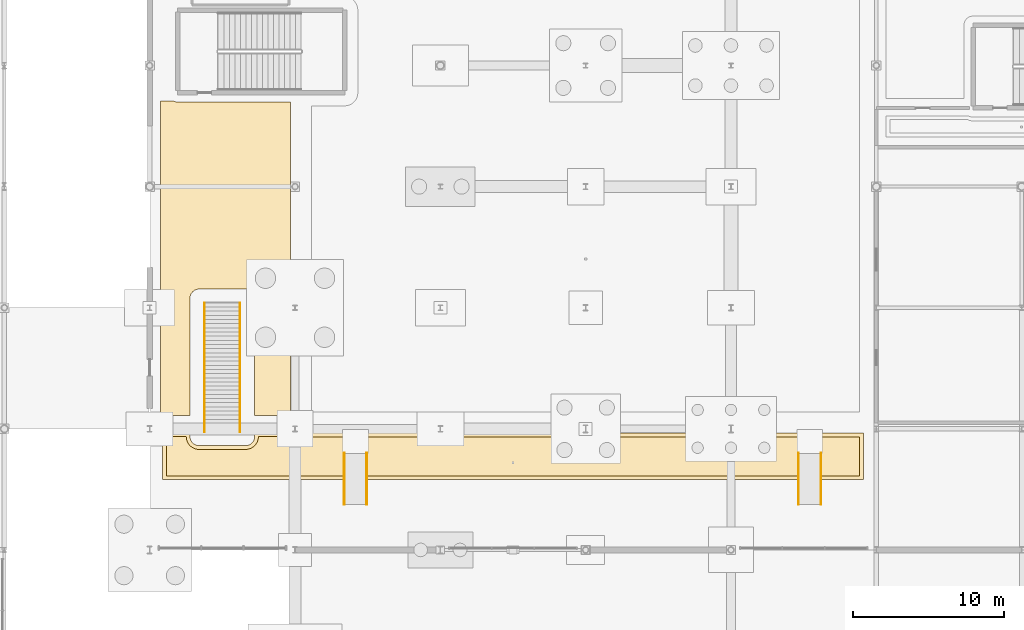
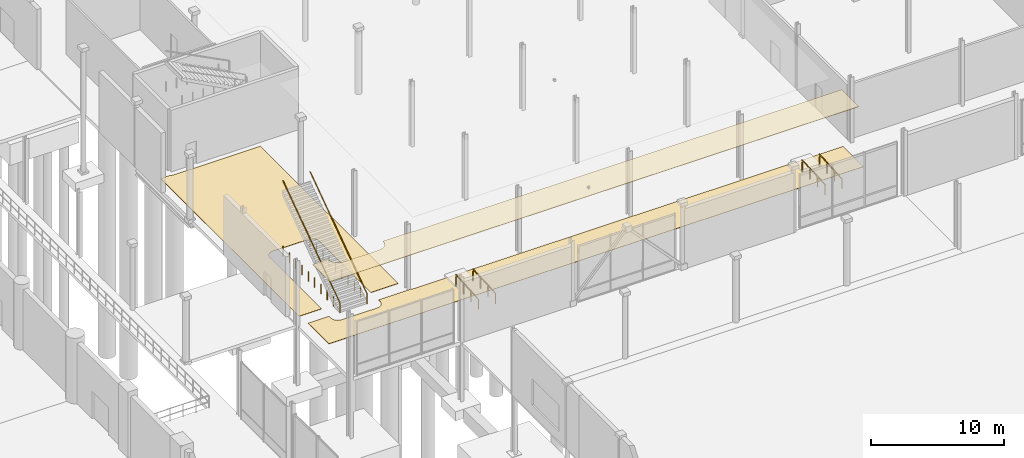
# One storey, part 119 of 124: 6 railings, 3 coverings.
"""IFC4 building model written with IfcOpenShell, lengths in metres."""

from ifc_helpers import new_model, si_unit, direction, frame, origin, origin_2d, place, context, subcontext, project, spatial, polyline, circle, outline, extrude, material, layer, layer_set, type_object, element, save


model = new_model("IFC4")

# Units and contexts
model_context = context("Model", 3, precision=1e-05, world=origin(), true_north=direction((0.0, 1.0)))
body_context = subcontext(model_context, "Body", "Model", "MODEL_VIEW")
ifc_project = project(units=[si_unit("LENGTHUNIT", "METRE"), si_unit("AREAUNIT", "SQUARE_METRE"), si_unit("VOLUMEUNIT", "CUBIC_METRE"), si_unit("PLANEANGLEUNIT", "RADIAN"), si_unit("MASSUNIT", "GRAM", prefix="KILO")], contexts=[model_context])

# Site, building, storey
site_placement = place(None, origin())
site = spatial("IfcSite", under=ifc_project, at=site_placement, CompositionType="ELEMENT")
building_placement = place(site_placement, origin())
building = spatial("IfcBuilding", under=site, at=building_placement, Name="Danafjord Basin Convention Centre", CompositionType="ELEMENT")
storey_placement = place(building_placement, origin())
storey = spatial("IfcBuildingStorey", under=building, at=storey_placement, Name="L00", CompositionType="ELEMENT", Elevation=0.0)

# Coverings
ifc_material_1 = material(Name="Perforated Nordic birch acoustic slats")
ifc_layer_1 = layer(ifc_material_1, 0.0400390625)
ifc_layer_set_1 = layer_set([ifc_layer_1], Name="Perforated Nordic birch acoustic slats")
covering_type_1 = type_object("IfcCoveringType", Name="COV-CLG-AC01", PredefinedType="CEILING", material=ifc_layer_set_1)
covering_1_placement = place(storey_placement, frame((0.0, 0.0, 5.43994140625)))
element("IfcCovering", 1, at=covering_1_placement, inside=storey, type_object=covering_type_1, Name="Auditorium Lower Pre-Function Foyer acoustic ceiling", PredefinedType="CEILING", context=body_context, shape_type="SweptSolid", body=[
    extrude(outline(polyline([(136.81494140625, 95.5), (136.81591796875, 95.4560546875), (136.81689453125, 95.43994140625), (136.822021484375, 95.39111328125), (136.823974609375, 95.3759765625), (136.842041015625, 95.2890625), (136.845947265625, 95.27392578125), (136.85791015625, 95.23291015625), (136.863037109375, 95.218017578125), (136.90087890625, 95.1259765625), (136.907958984375, 95.112060546875), (136.926025390625, 95.077880859375), (136.93408203125, 95.06396484375), (136.966064453125, 95.012939453125), (136.97509765625, 95.0), (137.013916015625, 94.948974609375), (137.055908203125, 94.903076171875), (137.06689453125, 94.89208984375), (137.077880859375, 94.881103515625), (137.1240234375, 94.839111328125), (137.175048828125, 94.800048828125), (137.18798828125, 94.791015625), (137.239013671875, 94.759033203125), (137.2529296875, 94.7509765625), (137.287109375, 94.73291015625), (137.301025390625, 94.72607421875), (137.39306640625, 94.68798828125), (137.407958984375, 94.68310546875), (137.448974609375, 94.6708984375), (137.464111328125, 94.6669921875), (137.551025390625, 94.64892578125), (137.56591796875, 94.64697265625), (137.614990234375, 94.64208984375), (137.631103515625, 94.64111328125), (137.675048828125, 94.639892578125), (140.72509765625, 94.639892578125), (140.76904296875, 94.64111328125), (140.784912109375, 94.64208984375), (140.833984375, 94.64697265625), (140.84912109375, 94.64892578125), (140.93603515625, 94.6669921875), (140.950927734375, 94.6708984375), (140.991943359375, 94.68310546875), (141.007080078125, 94.68798828125), (141.09912109375, 94.72607421875), (141.113037109375, 94.73291015625), (141.14697265625, 94.7509765625), (141.160888671875, 94.759033203125), (141.2119140625, 94.791015625), (141.22509765625, 94.800048828125), (141.27587890625, 94.839111328125), (141.322021484375, 94.881103515625), (141.343994140625, 94.903076171875), (141.385986328125, 94.948974609375), (141.425048828125, 95.0), (141.43408203125, 95.012939453125), (141.466064453125, 95.06396484375), (141.47412109375, 95.077880859375), (141.491943359375, 95.112060546875), (141.4990234375, 95.1259765625), (141.537109375, 95.218017578125), (141.5419921875, 95.23291015625), (141.553955078125, 95.27392578125), (141.55810546875, 95.2890625), (141.575927734375, 95.3759765625), (141.577880859375, 95.39111328125), (141.5830078125, 95.43994140625), (141.583984375, 95.4560546875), (141.5849609375, 95.5), (144.12890625, 95.5), (144.134033203125, 95.498046875), (144.18896484375, 95.48388671875), (144.2119140625, 95.47900390625), (144.300048828125, 95.466064453125), (144.322998046875, 95.464111328125), (144.340087890625, 95.4619140625), (144.35595703125, 95.4609375), (144.39990234375, 95.4599609375), (181.300048828125, 95.4599609375), (181.300048828125, 92.89990234375), (135.5, 92.89990234375), (135.5, 95.5), (136.81494140625, 95.5)])), origin(), (0.0, 0.0, 1.0), 0.0400390625),
])
ifc_material_2 = material(Name="Polished Bohus granite terrazzo", Category="masonry")
ifc_layer_2 = layer(ifc_material_2, 0.030029296875)
ifc_layer_set_2 = layer_set([ifc_layer_2], Name="Polished Bohus granite terrazzo")
covering_type_2 = type_object("IfcCoveringType", Name="COV-FLR-TER01", PredefinedType="FLOORING", material=ifc_layer_set_2)
covering_2_placement = place(storey_placement, origin())
element("IfcCovering", 2, at=covering_2_placement, inside=storey, type_object=covering_type_2, Name="Auditorium Lower Pre-Function Foyer finish flooring", PredefinedType="FLOORING", context=body_context, shape_type="SweptSolid", body=[
    extrude(outline(polyline([(137.06494140625, 95.75), (137.06494140625, 95.5), (137.06591796875, 95.471923828125), (137.06689453125, 95.4560546875), (137.070068359375, 95.425048828125), (137.072021484375, 95.409912109375), (137.0830078125, 95.35302734375), (137.0869140625, 95.337890625), (137.094970703125, 95.31201171875), (137.10009765625, 95.297119140625), (137.125, 95.238037109375), (137.132080078125, 95.22412109375), (137.14306640625, 95.201904296875), (137.15087890625, 95.18798828125), (137.172119140625, 95.155029296875), (137.180908203125, 95.14208984375), (137.2060546875, 95.110107421875), (137.23291015625, 95.080078125), (137.243896484375, 95.069091796875), (137.2548828125, 95.05810546875), (137.284912109375, 95.031005859375), (137.31689453125, 95.006103515625), (137.330078125, 94.9970703125), (137.363037109375, 94.97607421875), (137.376953125, 94.968017578125), (137.39892578125, 94.95703125), (137.4130859375, 94.949951171875), (137.471923828125, 94.925048828125), (137.487060546875, 94.919921875), (137.512939453125, 94.912109375), (137.528076171875, 94.907958984375), (137.5849609375, 94.89697265625), (137.60009765625, 94.89501953125), (137.631103515625, 94.89208984375), (137.64697265625, 94.89111328125), (137.675048828125, 94.889892578125), (140.72509765625, 94.889892578125), (140.7529296875, 94.89111328125), (140.76904296875, 94.89208984375), (140.800048828125, 94.89501953125), (140.81494140625, 94.89697265625), (140.8720703125, 94.907958984375), (140.886962890625, 94.912109375), (140.9130859375, 94.919921875), (140.927978515625, 94.925048828125), (140.987060546875, 94.949951171875), (141.0009765625, 94.95703125), (141.02294921875, 94.968017578125), (141.037109375, 94.97607421875), (141.070068359375, 94.9970703125), (141.0830078125, 95.006103515625), (141.114990234375, 95.031005859375), (141.14501953125, 95.05810546875), (141.1669921875, 95.080078125), (141.194091796875, 95.110107421875), (141.218994140625, 95.14208984375), (141.22802734375, 95.155029296875), (141.2490234375, 95.18798828125), (141.257080078125, 95.201904296875), (141.26806640625, 95.22412109375), (141.27490234375, 95.238037109375), (141.300048828125, 95.297119140625), (141.304931640625, 95.31201171875), (141.31298828125, 95.337890625), (141.31689453125, 95.35302734375), (141.327880859375, 95.409912109375), (141.330078125, 95.425048828125), (141.3330078125, 95.4560546875), (141.333984375, 95.471923828125), (141.3349609375, 95.5), (141.3349609375, 95.75), (144.16796875, 95.75), (144.18408203125, 95.743896484375), (144.20703125, 95.737060546875), (144.241943359375, 95.72802734375), (144.264892578125, 95.722900390625), (144.322021484375, 95.715087890625), (144.344970703125, 95.712890625), (144.35595703125, 95.7119140625), (144.3720703125, 95.7109375), (144.39990234375, 95.7099609375), (181.550048828125, 95.7099609375), (181.550048828125, 92.64990234375), (135.25, 92.64990234375), (135.25, 95.75), (137.06494140625, 95.75)])), origin(), (0.0, 0.0, 1.0), 0.030029296875),
])
covering_3_placement = place(storey_placement, origin())
element("IfcCovering", 3, at=covering_3_placement, inside=storey, type_object=covering_type_2, Name="Plenary West Protected Exit Concourse finish flooring", PredefinedType="FLOORING", context=body_context, shape_type="SweptSolid", body=[
    extrude(outline(polyline([(135.1201171875, 117.669921875), (135.948974609375, 117.669921875), (135.951904296875, 117.66796875), (135.97412109375, 117.656982421875), (135.988037109375, 117.64990234375), (136.047119140625, 117.625), (136.06201171875, 117.6201171875), (136.087890625, 117.612060546875), (136.10302734375, 117.60791015625), (136.159912109375, 117.596923828125), (136.175048828125, 117.594970703125), (136.2060546875, 117.592041015625), (136.221923828125, 117.591064453125), (136.25, 117.590087890625), (143.7099609375, 117.590087890625), (143.7099609375, 96.889892578125), (141.3349609375, 96.889892578125), (141.3349609375, 104.625), (141.333984375, 104.653076171875), (141.3330078125, 104.6689453125), (141.330078125, 104.699951171875), (141.327880859375, 104.715087890625), (141.31689453125, 104.77197265625), (141.31298828125, 104.787109375), (141.304931640625, 104.81298828125), (141.300048828125, 104.827880859375), (141.27490234375, 104.886962890625), (141.26806640625, 104.90087890625), (141.257080078125, 104.923095703125), (141.2490234375, 104.93701171875), (141.22802734375, 104.969970703125), (141.218994140625, 104.98291015625), (141.194091796875, 105.014892578125), (141.1669921875, 105.044921875), (141.14501953125, 105.06689453125), (141.114990234375, 105.093994140625), (141.0830078125, 105.118896484375), (141.070068359375, 105.1279296875), (141.037109375, 105.14892578125), (141.02294921875, 105.156982421875), (141.0009765625, 105.16796875), (140.987060546875, 105.175048828125), (140.927978515625, 105.199951171875), (140.9130859375, 105.205078125), (140.886962890625, 105.212890625), (140.8720703125, 105.217041015625), (140.81494140625, 105.22802734375), (140.800048828125, 105.22998046875), (140.76904296875, 105.23291015625), (140.7529296875, 105.23388671875), (140.72509765625, 105.235107421875), (137.675048828125, 105.235107421875), (137.64697265625, 105.23388671875), (137.631103515625, 105.23291015625), (137.60009765625, 105.22998046875), (137.5849609375, 105.22802734375), (137.528076171875, 105.217041015625), (137.512939453125, 105.212890625), (137.487060546875, 105.205078125), (137.471923828125, 105.199951171875), (137.4130859375, 105.175048828125), (137.39892578125, 105.16796875), (137.376953125, 105.156982421875), (137.363037109375, 105.14892578125), (137.330078125, 105.1279296875), (137.31689453125, 105.118896484375), (137.284912109375, 105.093994140625), (137.2548828125, 105.06689453125), (137.243896484375, 105.055908203125), (137.23291015625, 105.044921875), (137.2060546875, 105.014892578125), (137.180908203125, 104.98291015625), (137.172119140625, 104.969970703125), (137.15087890625, 104.93701171875), (137.14306640625, 104.923095703125), (137.132080078125, 104.90087890625), (137.125, 104.886962890625), (137.10009765625, 104.827880859375), (137.094970703125, 104.81298828125), (137.0869140625, 104.787109375), (137.0830078125, 104.77197265625), (137.072021484375, 104.715087890625), (137.070068359375, 104.699951171875), (137.06689453125, 104.6689453125), (137.06591796875, 104.653076171875), (137.06494140625, 104.625), (137.06494140625, 96.889892578125), (135.1201171875, 96.889892578125), (135.1201171875, 117.669921875)])), origin(), (0.0, 0.0, 1.0), 0.030029296875),
])

# Railings
ifc_material_3 = material(Name="Brushed stainless steel EN 1.4404", Category="steel")
railing_type = type_object("IfcRailingType", Name="RL-HR-STAIR", PredefinedType="HANDRAIL", material=ifc_material_3)
for number, where, name in (
    (4, (138.02490234375, 95.800048828125, 0.0), "Plenary Foyer Grand Stair handrail L"),
    (5, (140.375, 95.800048828125, 0.0), "Plenary Foyer Grand Stair handrail R"),
):
    element("IfcRailing", number, at=place(storey_placement, frame(where)), inside=storey, type_object=railing_type, Name=name, PredefinedType="HANDRAIL", context=body_context, shape_type="SweptSolid", body=[
        extrude(circle(Radius=0.02392578125, at=origin_2d()), frame((0.0, 0.0, 0.89599609375), z_axis=(0.0, 0.817761511564, 0.575557217143), x_axis=(-1.0, 0.0, 0.0)), (0.0, 0.0, 1.0), 10.424560546875),
        extrude(circle(Radius=0.02099609375, at=origin_2d()), origin(), (0.0, 0.0, 1.0), 0.869873046875),
        extrude(circle(Radius=0.02099609375, at=origin_2d()), frame((0.0, 0.947265625, 0.0)), (0.0, 0.0, 1.0), 0.869873046875),
        extrude(circle(Radius=0.02099609375, at=origin_2d()), frame((0.0, 1.89453125, 0.0)), (0.0, 0.0, 1.0), 0.869873046875),
        extrude(circle(Radius=0.02099609375, at=origin_2d()), frame((0.0, 2.841552734375, 0.0)), (0.0, 0.0, 1.0), 0.869873046875),
        extrude(circle(Radius=0.02099609375, at=origin_2d()), frame((0.0, 3.788818359375, 0.0)), (0.0, 0.0, 1.0), 0.869873046875),
        extrude(circle(Radius=0.02099609375, at=origin_2d()), frame((0.0, 4.736083984375, 0.0)), (0.0, 0.0, 1.0), 0.869873046875),
        extrude(circle(Radius=0.02099609375, at=origin_2d()), frame((0.0, 5.683349609375, 0.0)), (0.0, 0.0, 1.0), 0.869873046875),
        extrude(circle(Radius=0.02099609375, at=origin_2d()), frame((0.0, 6.63037109375, 0.0)), (0.0, 0.0, 1.0), 0.869873046875),
        extrude(circle(Radius=0.02099609375, at=origin_2d()), frame((0.0, 7.57763671875, 0.0)), (0.0, 0.0, 1.0), 0.869873046875),
        extrude(circle(Radius=0.02099609375, at=origin_2d()), frame((0.0, 8.52490234375, 0.0)), (0.0, 0.0, 1.0), 0.869873046875),
    ])
for number, where, name in (
    (6, (147.260009765625, 91.0, 0.0), "AR-03 handrail L"),
    (7, (148.739990234375, 91.0, 0.0), "AR-03 handrail R"),
    (8, (177.260009765625, 91.0, 0.0), "AR-04 handrail L"),
    (9, (178.739990234375, 91.0, 0.0), "AR-04 handrail R"),
):
    element("IfcRailing", number, at=place(storey_placement, frame(where)), inside=storey, type_object=railing_type, Name=name, PredefinedType="HANDRAIL", context=body_context, shape_type="SweptSolid", body=[
        extrude(circle(Radius=0.02392578125, at=origin_2d()), frame((0.0, 0.0, 0.89599609375), z_axis=(0.0, 0.998275114657, 0.058709415403), x_axis=(-1.0, 0.0, 0.0)), (0.0, 0.0, 1.0), 3.40576171875),
        extrude(circle(Radius=0.02099609375, at=origin_2d()), origin(), (0.0, 0.0, 1.0), 0.869873046875),
        extrude(circle(Radius=0.02099609375, at=origin_2d()), frame((0.0, 1.13330078125, 0.0)), (0.0, 0.0, 1.0), 0.869873046875),
        extrude(circle(Radius=0.02099609375, at=origin_2d()), frame((0.0, 2.2666015625, 0.0)), (0.0, 0.0, 1.0), 0.869873046875),
        extrude(circle(Radius=0.02099609375, at=origin_2d()), frame((0.0, 3.39990234375, 0.0)), (0.0, 0.0, 1.0), 0.869873046875),
    ])

save(model, "model.ifc")
